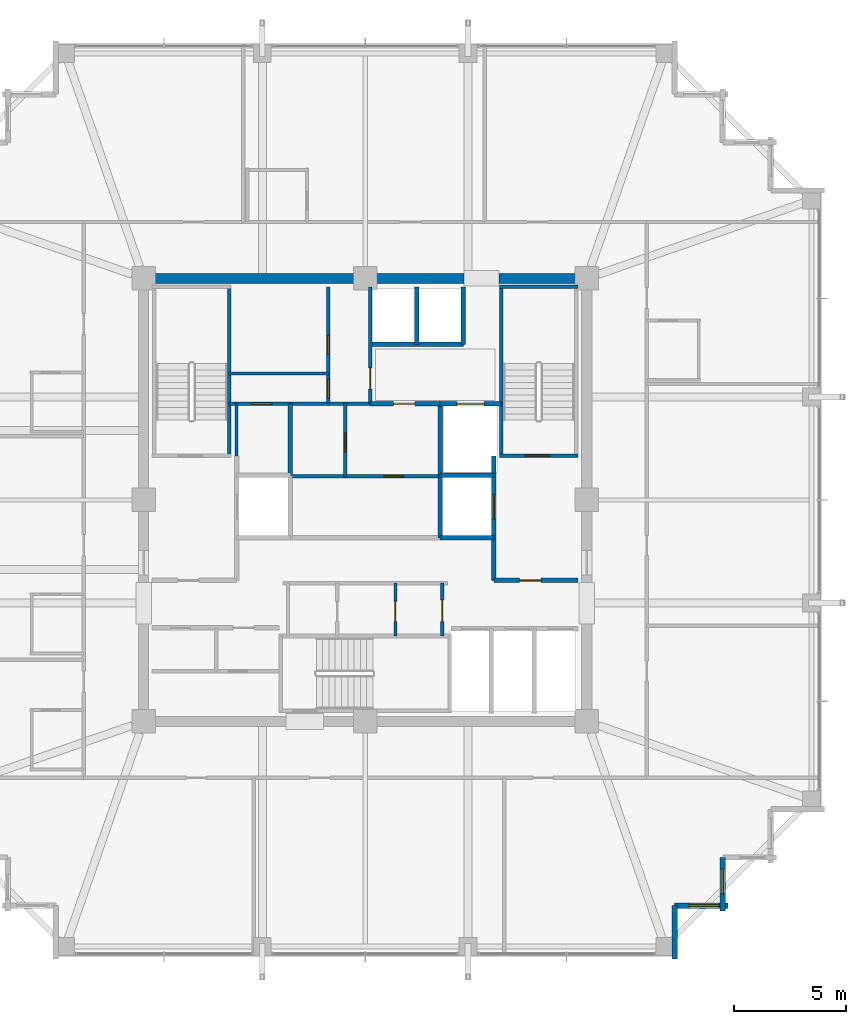
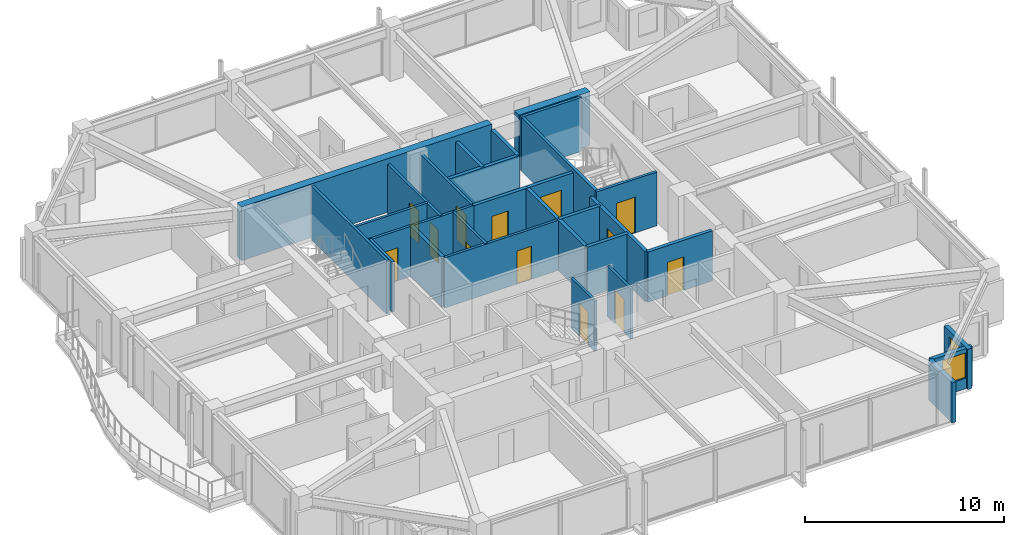
# One storey, part 29 of 33: 30 walls, 13 doors, 2 windows, 15 openings.
"""IFC4 building model written with IfcOpenShell, lengths in metres."""

from ifc_helpers import new_model, si_unit, direction, frame, frame_2d, origin, place, context, subcontext, project, spatial, rectangle, extrude, material, layer, layer_set, type_object, element, fill, save


model = new_model("IFC4")

# Units and contexts
model_context = context("Model", 3, precision=1e-05, world=origin(), true_north=direction((0.0, 1.0)))
body_context = subcontext(model_context, "Body", "Model", "MODEL_VIEW")
ifc_project = project(units=[si_unit("LENGTHUNIT", "METRE"), si_unit("AREAUNIT", "SQUARE_METRE"), si_unit("VOLUMEUNIT", "CUBIC_METRE"), si_unit("PLANEANGLEUNIT", "RADIAN"), si_unit("MASSUNIT", "GRAM", prefix="KILO")], contexts=[model_context])

# Site, building, storey
site_placement = place(None, origin())
site = spatial("IfcSite", under=ifc_project, at=site_placement, CompositionType="ELEMENT")
building_placement = place(site_placement, origin())
building = spatial("IfcBuilding", under=site, at=building_placement, Name="Kolvaren Belvedere", CompositionType="ELEMENT")
storey_placement = place(building_placement, frame((0.0, 0.0, 209.699951171875)))
storey = spatial("IfcBuildingStorey", under=building, at=storey_placement, Name="L61", CompositionType="ELEMENT", Elevation=209.699951171875)

# Walls
ifc_material_1 = material(Name="Concrete C50/60", Category="concrete")
ifc_layer_1 = layer(ifc_material_1, 0.449951171875)
ifc_layer_set_1 = layer_set([ifc_layer_1], Name="Concrete C50/60")
wall_type_1 = type_object("IfcWallType", Name="CW-CORE-450", PredefinedType="SHEAR", material=ifc_layer_set_1)
wall_1_placement = place(storey_placement, frame((-10.125, 9.89990234375, 0.0), z_axis=(0.0, 0.0, 1.0), x_axis=(1.0, 0.0, 0.0)))
element("IfcWall", 1, at=wall_1_placement, inside=storey, type_object=wall_type_1, Name="L61 North Core Shear Wall 1", PredefinedType="SHEAR", context=body_context, shape_type="SweptSolid", body=[
    extrude(rectangle(XDim=14.544921875, YDim=0.449951171875, at=frame_2d((7.2724609375, 0.0))), origin(), (0.0, 0.0, 1.0), 3.300048828125),
])
wall_2_placement = place(storey_placement, frame((5.97998046875, 9.89990234375, 0.0), z_axis=(0.0, 0.0, 1.0), x_axis=(1.0, 0.0, 0.0)))
element("IfcWall", 2, at=wall_2_placement, inside=storey, type_object=wall_type_1, Name="L61 North Core Shear Wall 2", PredefinedType="SHEAR", context=body_context, shape_type="SweptSolid", body=[
    extrude(rectangle(XDim=4.14501953125, YDim=0.449951171875, at=frame_2d((2.072509765625, 0.0))), origin(), (0.0, 0.0, 1.0), 3.300048828125),
])
ifc_material_2 = material(Name="Concrete C50/60", Category="concrete")
ifc_layer_2 = layer(ifc_material_2, 0.159912109375)
ifc_layer_set_2 = layer_set([ifc_layer_2], Name="Concrete C50/60")
wall_type_2 = type_object("IfcWallType", Name="CW-STAIR-160", PredefinedType="SHEAR", material=ifc_layer_set_2)
wall_3_placement = place(storey_placement, frame((-6.080078125, 1.969970703125, 0.0), z_axis=(0.0, 0.0, 1.0), x_axis=(0.0, 1.0, 0.0)))
element("IfcWall", 3, at=wall_3_placement, inside=storey, type_object=wall_type_2, Name="L61 Stair ST-1 East Shear Wall", PredefinedType="SHEAR", context=body_context, shape_type="SweptSolid", body=[
    extrude(rectangle(XDim=7.56005859375, YDim=0.159912109375, at=frame_2d((3.780029296875, 0.0))), origin(), (0.0, 0.0, 1.0), 3.300048828125),
])

# Wall, opening, door
wall_4_placement = place(storey_placement, frame((6.0, 1.969970703125, 0.0), z_axis=(0.0, 0.0, 1.0), x_axis=(1.0, 0.0, 0.0)))
wall_4 = element("IfcWall", 4, at=wall_4_placement, inside=storey, type_object=wall_type_2, Name="L61 Stair ST-2 South Shear Wall", PredefinedType="SHEAR", context=body_context, shape_type="SweptSolid", body=[
    extrude(rectangle(XDim=3.52001953125, YDim=0.159912109375, at=frame_2d((1.760009765625, 0.0))), origin(), (0.0, 0.0, 1.0), 3.300048828125),
])
opening_1_placement = place(wall_4_placement, frame((1.14990234375, 0.0, 0.0)))
opening_1 = element("IfcOpeningElement", 5, at=opening_1_placement, cuts=wall_4, Name="Opening D-FD90", PredefinedType="OPENING", context=body_context, shape_type="SweptSolid", body=[
    extrude(rectangle(XDim=1.10009765625, YDim=2.199951171875, at=frame_2d((0.550048828125, 1.10009765625))), frame((0.0, 0.08984375, 0.0), z_axis=(0.0, -1.0, 0.0), x_axis=(1.0, 0.0, 0.0)), (0.0, 0.0, 1.0), 0.179931640625),
])
ifc_material_3 = material(Name="Painted hollow stainless steel", Category="steel")
door_type_1 = type_object("IfcDoorType", Name="DR-FD90-1100", OperationType="NOTDEFINED", PredefinedType="DOOR", material=ifc_material_3)
door_1_placement = place(opening_1_placement, origin())
door_1 = element("IfcDoor", 6, at=door_1_placement, inside=storey, type_object=door_type_1, Name="L61 Stair ST-2 Fire Door", OperationType="SINGLE_SWING_RIGHT", OverallHeight=2.199951171875, OverallWidth=1.10009765625, PredefinedType="DOOR", context=body_context, shape_type="SweptSolid", body=[
    extrude(rectangle(XDim=1.10009765625, YDim=2.199951171875, at=frame_2d((0.550048828125, 1.10009765625))), frame((0.0, 0.02490234375, 0.0), z_axis=(0.0, -1.0, 0.0), x_axis=(1.0, 0.0, 0.0)), (0.0, 0.0, 1.0), 0.050048828125),
])
fill(opening_1, door_1)

# Walls
wall_5_placement = place(storey_placement, frame((6.0, 9.530029296875, 0.0), z_axis=(0.0, 0.0, 1.0), x_axis=(1.0, 0.0, 0.0)))
element("IfcWall", 7, at=wall_5_placement, inside=storey, type_object=wall_type_2, Name="L61 Stair ST-2 North Shear Wall", PredefinedType="SHEAR", context=body_context, shape_type="SweptSolid", body=[
    extrude(rectangle(XDim=3.52001953125, YDim=0.159912109375, at=frame_2d((1.760009765625, 0.0))), origin(), (0.0, 0.0, 1.0), 3.300048828125),
])
wall_6_placement = place(storey_placement, frame((6.080078125, 1.969970703125, 0.0), z_axis=(0.0, 0.0, 1.0), x_axis=(0.0, 1.0, 0.0)))
element("IfcWall", 8, at=wall_6_placement, inside=storey, type_object=wall_type_2, Name="L61 Stair ST-2 West Shear Wall", PredefinedType="SHEAR", context=body_context, shape_type="SweptSolid", body=[
    extrude(rectangle(XDim=7.56005859375, YDim=0.159912109375, at=frame_2d((3.780029296875, 0.0))), origin(), (0.0, 0.0, 1.0), 3.300048828125),
])
ifc_material_4 = material(Name="Insulated pale-metal facade wall assembly", Category="aluminium")
ifc_layer_3 = layer(ifc_material_4, 0.239990234375)
ifc_layer_set_3 = layer_set([ifc_layer_3], Name="Insulated pale-metal facade wall assembly")
wall_type_3 = type_object("IfcWallType", Name="WL-EXT-240", PredefinedType="STANDARD", material=ifc_layer_set_3)
wall_7_placement = place(storey_placement, frame((13.830078125, -18.1298828125, 0.0), z_axis=(0.0, 0.0, 1.0), x_axis=(0.0, -1.0, 0.0)))
element("IfcWall", 9, at=wall_7_placement, inside=storey, type_object=wall_type_3, Name="L61 Serrated Corner Facade Wall 2", PredefinedType="STANDARD", context=body_context, shape_type="SweptSolid", body=[
    extrude(rectangle(XDim=2.39013671875, YDim=0.239990234375, at=frame_2d((1.195068359375, 0.0))), origin(), (0.0, 0.0, 1.0), 2.463134765625),
])

# Wall, opening, window
wall_8_placement = place(storey_placement, frame((16.219970703125, -18.1298828125, 0.0), z_axis=(0.0, 0.0, 1.0), x_axis=(-1.0, 0.0, 0.0)))
wall_8 = element("IfcWall", 10, at=wall_8_placement, inside=storey, type_object=wall_type_3, Name="L61 Serrated Corner Facade Wall 3", PredefinedType="STANDARD", context=body_context, shape_type="SweptSolid", body=[
    extrude(rectangle(XDim=2.389892578125, YDim=0.239990234375, at=frame_2d((1.19482421875, 0.0))), origin(), (0.0, 0.0, 1.0), 2.463134765625),
])
opening_2_placement = place(wall_8_placement, frame((0.39990234375, 0.0, 0.64990234375)))
opening_2 = element("IfcOpeningElement", 11, at=opening_2_placement, cuts=wall_8, Name="Opening W-1350", PredefinedType="OPENING", context=body_context, shape_type="SweptSolid", body=[
    extrude(rectangle(XDim=1.35009765625, YDim=1.550048828125, at=frame_2d((0.675048828125, 0.77490234375))), frame((0.0, 0.1298828125, 0.0), z_axis=(0.0, -1.0, 0.0), x_axis=(1.0, 0.0, 0.0)), (0.0, 0.0, 1.0), 0.260009765625),
])
ifc_material_5 = material(Name="Low-iron triple insulated glass", Category="glass")
window_type_1 = type_object("IfcWindowType", Name="WN-CORN-1350", PartitioningType="SINGLE_PANEL", PredefinedType="WINDOW", material=ifc_material_5)
window_1_placement = place(opening_2_placement, origin())
window_1 = element("IfcWindow", 12, at=window_1_placement, inside=storey, type_object=window_type_1, Name="L61 Serrated Corner Vision Window 3", OverallHeight=1.550048828125, OverallWidth=1.35009765625, PartitioningType="SINGLE_PANEL", PredefinedType="WINDOW", context=body_context, shape_type="SweptSolid", body=[
    extrude(rectangle(XDim=1.35009765625, YDim=1.550048828125, at=frame_2d((0.675048828125, 0.77490234375))), frame((0.0, 0.030029296875, 0.0), z_axis=(0.0, -1.0, 0.0), x_axis=(1.0, 0.0, 0.0)), (0.0, 0.0, 1.0), 0.06005859375),
])
fill(opening_2, window_1)

wall_9_placement = place(storey_placement, frame((15.97998046875, -15.97998046875, 0.0), z_axis=(0.0, 0.0, 1.0), x_axis=(0.0, -1.0, 0.0)))
wall_9 = element("IfcWall", 13, at=wall_9_placement, inside=storey, type_object=wall_type_3, Name="L61 Serrated Corner Facade Wall 4", PredefinedType="STANDARD", context=body_context, shape_type="SweptSolid", body=[
    extrude(rectangle(XDim=2.39013671875, YDim=0.239990234375, at=frame_2d((1.195068359375, 0.0))), origin(), (0.0, 0.0, 1.0), 2.463134765625),
])
opening_3_placement = place(wall_9_placement, frame((0.52490234375, 0.0, 0.64990234375)))
opening_3 = element("IfcOpeningElement", 14, at=opening_3_placement, cuts=wall_9, Name="Opening W-1100", PredefinedType="OPENING", context=body_context, shape_type="SweptSolid", body=[
    extrude(rectangle(XDim=1.10009765625, YDim=1.449951171875, at=frame_2d((0.550048828125, 0.72509765625))), frame((0.0, 0.1298828125, 0.0), z_axis=(0.0, -1.0, 0.0), x_axis=(1.0, 0.0, 0.0)), (0.0, 0.0, 1.0), 0.260009765625),
])
ifc_material_6 = material(Name="Low-iron triple insulated glass", Category="glass")
window_type_2 = type_object("IfcWindowType", Name="WN-CORN-1100", PartitioningType="SINGLE_PANEL", PredefinedType="WINDOW", material=ifc_material_6)
window_2_placement = place(opening_3_placement, origin())
window_2 = element("IfcWindow", 15, at=window_2_placement, inside=storey, type_object=window_type_2, Name="L61 Serrated Corner Vision Window 4", OverallHeight=1.449951171875, OverallWidth=1.10009765625, PartitioningType="SINGLE_PANEL", PredefinedType="WINDOW", context=body_context, shape_type="SweptSolid", body=[
    extrude(rectangle(XDim=1.10009765625, YDim=1.449951171875, at=frame_2d((0.550048828125, 0.72509765625))), frame((0.0, 0.030029296875, 0.0), z_axis=(0.0, -1.0, 0.0), x_axis=(1.0, 0.0, 0.0)), (0.0, 0.0, 1.0), 0.06005859375),
])
fill(opening_3, window_2)

# Wall, opening, door
ifc_material_7 = material(Name="Gypsum acoustic partition assembly", Category="gypsum")
ifc_layer_4 = layer(ifc_material_7, 0.14990234375)
ifc_layer_set_4 = layer_set([ifc_layer_4], Name="Gypsum acoustic partition assembly")
wall_type_4 = type_object("IfcWallType", Name="WL-PART-150", PredefinedType="PARTITIONING", material=ifc_layer_set_4)
wall_10_placement = place(storey_placement, frame((-6.080078125, 4.300048828125, 0.0), z_axis=(0.0, 0.0, 1.0), x_axis=(1.0, 0.0, 0.0)))
wall_10 = element("IfcWall", 16, at=wall_10_placement, inside=storey, type_object=wall_type_4, Name="L61 Reclaimed Salon South Wall", PredefinedType="PARTITIONING", context=body_context, shape_type="SweptSolid", body=[
    extrude(rectangle(XDim=6.300048828125, YDim=0.14990234375, at=frame_2d((3.14990234375, 0.0))), origin(), (0.0, 0.0, 1.0), 3.080078125),
])
opening_4_placement = place(wall_10_placement, frame((1.050048828125, 0.0, 0.0)))
opening_4 = element("IfcOpeningElement", 17, at=opening_4_placement, cuts=wall_10, Name="Opening D-INT85", PredefinedType="OPENING", context=body_context, shape_type="SweptSolid", body=[
    extrude(rectangle(XDim=0.85009765625, YDim=2.030029296875, at=frame_2d((0.425048828125, 1.01513671875))), frame((0.0, 0.0849609375, 0.0), z_axis=(0.0, -1.0, 0.0), x_axis=(1.0, 0.0, 0.0)), (0.0, 0.0, 1.0), 0.169921875),
])
ifc_material_8 = material(Name="Stained Pacific white oak", Category="timber")
door_type_2 = type_object("IfcDoorType", Name="DR-INT-850", OperationType="NOTDEFINED", PredefinedType="DOOR", material=ifc_material_8)
door_2_placement = place(opening_4_placement, origin())
door_2 = element("IfcDoor", 18, at=door_2_placement, inside=storey, type_object=door_type_2, Name="L61 NW Core Store Door", OperationType="SINGLE_SWING_RIGHT", OverallHeight=2.030029296875, OverallWidth=0.85009765625, PredefinedType="DOOR", context=body_context, shape_type="SweptSolid", body=[
    extrude(rectangle(XDim=0.85009765625, YDim=2.030029296875, at=frame_2d((0.425048828125, 1.01513671875))), frame((0.0, 0.02490234375, 0.0), z_axis=(0.0, -1.0, 0.0), x_axis=(1.0, 0.0, 0.0)), (0.0, 0.0, 1.0), 0.050048828125),
])
fill(opening_4, door_2)

wall_11_placement = place(storey_placement, frame((0.219970703125, 4.300048828125, 0.0), z_axis=(0.0, 0.0, 1.0), x_axis=(0.0, 1.0, 0.0)))
wall_11 = element("IfcWall", 19, at=wall_11_placement, inside=storey, type_object=wall_type_4, Name="L61 Reclaimed Salon East Wall", PredefinedType="PARTITIONING", context=body_context, shape_type="SweptSolid", body=[
    extrude(rectangle(XDim=5.219970703125, YDim=0.14990234375, at=frame_2d((2.60986328125, 0.0))), origin(), (0.0, 0.0, 1.0), 3.080078125),
])
opening_5_placement = place(wall_11_placement, frame((0.64990234375, 0.0, 0.0)))
opening_5 = element("IfcOpeningElement", 20, at=opening_5_placement, cuts=wall_11, Name="Opening D-INT95", PredefinedType="OPENING", context=body_context, shape_type="SweptSolid", body=[
    extrude(rectangle(XDim=0.949951171875, YDim=2.06005859375, at=frame_2d((0.47509765625, 1.030029296875))), frame((0.0, 0.0849609375, 0.0), z_axis=(0.0, -1.0, 0.0), x_axis=(1.0, 0.0, 0.0)), (0.0, 0.0, 1.0), 0.169921875),
])
ifc_material_9 = material(Name="Stained Pacific white oak", Category="timber")
door_type_3 = type_object("IfcDoorType", Name="DR-INT-950", OperationType="NOTDEFINED", PredefinedType="DOOR", material=ifc_material_9)
door_3_placement = place(opening_5_placement, origin())
door_3 = element("IfcDoor", 21, at=door_3_placement, inside=storey, type_object=door_type_3, Name="L61 Wellness Tearoom Door", OperationType="SINGLE_SWING_LEFT", OverallHeight=2.06005859375, OverallWidth=0.949951171875, PredefinedType="DOOR", context=body_context, shape_type="SweptSolid", body=[
    extrude(rectangle(XDim=0.949951171875, YDim=2.06005859375, at=frame_2d((0.47509765625, 1.030029296875))), frame((0.0, 0.02490234375, 0.0), z_axis=(0.0, -1.0, 0.0), x_axis=(1.0, 0.0, 0.0)), (0.0, 0.0, 1.0), 0.050048828125),
])
fill(opening_5, door_3)

# Wall, openings, doors
wall_12_placement = place(storey_placement, frame((-1.64990234375, 4.300048828125, 0.0), z_axis=(0.0, 0.0, 1.0), x_axis=(0.0, 1.0, 0.0)))
wall_12 = element("IfcWall", 22, at=wall_12_placement, inside=storey, type_object=wall_type_4, Name="L61 Reclaimed Tearoom V-Divider", PredefinedType="PARTITIONING", context=body_context, shape_type="SweptSolid", body=[
    extrude(rectangle(XDim=5.219970703125, YDim=0.14990234375, at=frame_2d((2.60986328125, 0.0))), origin(), (0.0, 0.0, 1.0), 3.080078125),
])
opening_6_placement = place(wall_12_placement, frame((2.199951171875, 0.0, 0.0)))
opening_6 = element("IfcOpeningElement", 23, at=opening_6_placement, cuts=wall_12, Name="Opening D-INT85", PredefinedType="OPENING", context=body_context, shape_type="SweptSolid", body=[
    extrude(rectangle(XDim=0.85009765625, YDim=2.030029296875, at=frame_2d((0.425048828125, 1.01513671875))), frame((0.0, 0.0849609375, 0.0), z_axis=(0.0, -1.0, 0.0), x_axis=(1.0, 0.0, 0.0)), (0.0, 0.0, 1.0), 0.169921875),
])
opening_7_placement = place(wall_12_placement, frame((0.25, 0.0, 0.0)))
opening_7 = element("IfcOpeningElement", 24, at=opening_7_placement, cuts=wall_12, Name="Opening D-INT85", PredefinedType="OPENING", context=body_context, shape_type="SweptSolid", body=[
    extrude(rectangle(XDim=0.85009765625, YDim=2.030029296875, at=frame_2d((0.425048828125, 1.01513671875))), frame((0.0, 0.0849609375, 0.0), z_axis=(0.0, -1.0, 0.0), x_axis=(1.0, 0.0, 0.0)), (0.0, 0.0, 1.0), 0.169921875),
])
door_4_placement = place(opening_6_placement, origin())
door_4 = element("IfcDoor", 25, at=door_4_placement, inside=storey, type_object=door_type_2, Name="L61 Meditation Room Door", OperationType="SINGLE_SWING_RIGHT", OverallHeight=2.030029296875, OverallWidth=0.85009765625, PredefinedType="DOOR", context=body_context, shape_type="SweptSolid", body=[
    extrude(rectangle(XDim=0.85009765625, YDim=2.030029296875, at=frame_2d((0.425048828125, 1.01513671875))), frame((0.0, 0.02490234375, 0.0), z_axis=(0.0, -1.0, 0.0), x_axis=(1.0, 0.0, 0.0)), (0.0, 0.0, 1.0), 0.050048828125),
])
fill(opening_6, door_4)
door_5_placement = place(opening_7_placement, origin())
door_5 = element("IfcDoor", 26, at=door_5_placement, inside=storey, type_object=door_type_2, Name="L61 Herbal Closet Door", OperationType="SINGLE_SWING_RIGHT", OverallHeight=2.030029296875, OverallWidth=0.85009765625, PredefinedType="DOOR", context=body_context, shape_type="SweptSolid", body=[
    extrude(rectangle(XDim=0.85009765625, YDim=2.030029296875, at=frame_2d((0.425048828125, 1.01513671875))), frame((0.0, 0.02490234375, 0.0), z_axis=(0.0, -1.0, 0.0), x_axis=(1.0, 0.0, 0.0)), (0.0, 0.0, 1.0), 0.050048828125),
])
fill(opening_7, door_5)

# Wall
wall_13_placement = place(storey_placement, frame((-6.080078125, 5.64990234375, 0.0), z_axis=(0.0, 0.0, 1.0), x_axis=(1.0, 0.0, 0.0)))
element("IfcWall", 27, at=wall_13_placement, inside=storey, type_object=wall_type_4, Name="L61 Reclaimed Tearoom H-Divider", PredefinedType="PARTITIONING", context=body_context, shape_type="SweptSolid", body=[
    extrude(rectangle(XDim=4.43017578125, YDim=0.14990234375, at=frame_2d((2.215087890625, 0.0))), origin(), (0.0, 0.0, 1.0), 3.080078125),
])

# Wall, opening, door
wall_14_placement = place(storey_placement, frame((-3.35009765625, 1.050048828125, 0.0), z_axis=(0.0, 0.0, 1.0), x_axis=(1.0, 0.0, 0.0)))
wall_14 = element("IfcWall", 28, at=wall_14_placement, inside=storey, type_object=wall_type_4, Name="L61 Central Core H-Divider", PredefinedType="PARTITIONING", context=body_context, shape_type="SweptSolid", body=[
    extrude(rectangle(XDim=6.7001953125, YDim=0.14990234375, at=frame_2d((3.35009765625, 0.0))), origin(), (0.0, 0.0, 1.0), 3.080078125),
])
opening_8_placement = place(wall_14_placement, frame((4.199951171875, 0.0, 0.0)))
opening_8 = element("IfcOpeningElement", 29, at=opening_8_placement, cuts=wall_14, Name="Opening D-INT85", PredefinedType="OPENING", context=body_context, shape_type="SweptSolid", body=[
    extrude(rectangle(XDim=0.85009765625, YDim=2.030029296875, at=frame_2d((0.425048828125, 1.01513671875))), frame((0.0, 0.0849609375, 0.0), z_axis=(0.0, -1.0, 0.0), x_axis=(1.0, 0.0, 0.0)), (0.0, 0.0, 1.0), 0.169921875),
])
door_6_placement = place(opening_8_placement, origin())
door_6 = element("IfcDoor", 30, at=door_6_placement, inside=storey, type_object=door_type_2, Name="L61 Central Metering Door", OperationType="SINGLE_SWING_LEFT", OverallHeight=2.030029296875, OverallWidth=0.85009765625, PredefinedType="DOOR", context=body_context, shape_type="SweptSolid", body=[
    extrude(rectangle(XDim=0.85009765625, YDim=2.030029296875, at=frame_2d((0.425048828125, 1.01513671875))), frame((0.0, 0.02490234375, 0.0), z_axis=(0.0, -1.0, 0.0), x_axis=(1.0, 0.0, 0.0)), (0.0, 0.0, 1.0), 0.050048828125),
])
fill(opening_8, door_6)

wall_15_placement = place(storey_placement, frame((-0.89990234375, 1.050048828125, 0.0), z_axis=(0.0, 0.0, 1.0), x_axis=(0.0, 1.0, 0.0)))
wall_15 = element("IfcWall", 31, at=wall_15_placement, inside=storey, type_object=wall_type_4, Name="L61 Central Core V-Divider", PredefinedType="PARTITIONING", context=body_context, shape_type="SweptSolid", body=[
    extrude(rectangle(XDim=3.25, YDim=0.14990234375, at=frame_2d((1.625, 0.0))), origin(), (0.0, 0.0, 1.0), 3.080078125),
])
opening_9_placement = place(wall_15_placement, frame((1.10009765625, 0.0, 0.0)))
opening_9 = element("IfcOpeningElement", 32, at=opening_9_placement, cuts=wall_15, Name="Opening D-INT85", PredefinedType="OPENING", context=body_context, shape_type="SweptSolid", body=[
    extrude(rectangle(XDim=0.85009765625, YDim=2.030029296875, at=frame_2d((0.425048828125, 1.01513671875))), frame((0.0, 0.0849609375, 0.0), z_axis=(0.0, -1.0, 0.0), x_axis=(1.0, 0.0, 0.0)), (0.0, 0.0, 1.0), 0.169921875),
])
door_7_placement = place(opening_9_placement, origin())
door_7 = element("IfcDoor", 33, at=door_7_placement, inside=storey, type_object=door_type_2, Name="L61 Central Telecom Door", OperationType="SINGLE_SWING_RIGHT", OverallHeight=2.030029296875, OverallWidth=0.85009765625, PredefinedType="DOOR", context=body_context, shape_type="SweptSolid", body=[
    extrude(rectangle(XDim=0.85009765625, YDim=2.030029296875, at=frame_2d((0.425048828125, 1.01513671875))), frame((0.0, 0.02490234375, 0.0), z_axis=(0.0, -1.0, 0.0), x_axis=(1.0, 0.0, 0.0)), (0.0, 0.0, 1.0), 0.050048828125),
])
fill(opening_9, door_7)

wall_16_placement = place(storey_placement, frame((3.449951171875, -6.080078125, 0.0), z_axis=(0.0, 0.0, 1.0), x_axis=(0.0, 1.0, 0.0)))
wall_16 = element("IfcWall", 34, at=wall_16_placement, inside=storey, type_object=wall_type_4, Name="L61 South Core Service East Wall", PredefinedType="PARTITIONING", context=body_context, shape_type="SweptSolid", body=[
    extrude(rectangle(XDim=2.360107421875, YDim=0.14990234375, at=frame_2d((1.18017578125, 0.0))), origin(), (0.0, 0.0, 1.0), 3.080078125),
])
opening_10_placement = place(wall_16_placement, frame((0.64990234375, 0.0, 0.0)))
opening_10 = element("IfcOpeningElement", 35, at=opening_10_placement, cuts=wall_16, Name="Opening D-FD60", PredefinedType="OPENING", context=body_context, shape_type="SweptSolid", body=[
    extrude(rectangle(XDim=0.949951171875, YDim=2.06005859375, at=frame_2d((0.47509765625, 1.030029296875))), frame((0.0, 0.0849609375, 0.0), z_axis=(0.0, -1.0, 0.0), x_axis=(1.0, 0.0, 0.0)), (0.0, 0.0, 1.0), 0.169921875),
])
ifc_material_10 = material(Name="Acoustic white-oak fire door leaf", Category="timber")
door_type_4 = type_object("IfcDoorType", Name="DR-FD60-950", OperationType="NOTDEFINED", PredefinedType="DOOR", material=ifc_material_10)
door_8_placement = place(opening_10_placement, origin())
door_8 = element("IfcDoor", 36, at=door_8_placement, inside=storey, type_object=door_type_4, Name="L61 Core Service Room Door", OperationType="SINGLE_SWING_LEFT", OverallHeight=2.06005859375, OverallWidth=0.949951171875, PredefinedType="DOOR", context=body_context, shape_type="SweptSolid", body=[
    extrude(rectangle(XDim=0.949951171875, YDim=2.06005859375, at=frame_2d((0.47509765625, 1.030029296875))), frame((0.0, 0.02490234375, 0.0), z_axis=(0.0, -1.0, 0.0), x_axis=(1.0, 0.0, 0.0)), (0.0, 0.0, 1.0), 0.050048828125),
])
fill(opening_10, door_8)

wall_17_placement = place(storey_placement, frame((1.35009765625, -6.080078125, 0.0), z_axis=(0.0, 0.0, 1.0), x_axis=(0.0, 1.0, 0.0)))
wall_17 = element("IfcWall", 37, at=wall_17_placement, inside=storey, type_object=wall_type_4, Name="L61 Core Service Divider 1", PredefinedType="PARTITIONING", context=body_context, shape_type="SweptSolid", body=[
    extrude(rectangle(XDim=2.360107421875, YDim=0.14990234375, at=frame_2d((1.18017578125, 0.0))), origin(), (0.0, 0.0, 1.0), 3.080078125),
])
opening_11_placement = place(wall_17_placement, frame((0.64990234375, 0.0, 0.0)))
opening_11 = element("IfcOpeningElement", 38, at=opening_11_placement, cuts=wall_17, Name="Opening D-INT90", PredefinedType="OPENING", context=body_context, shape_type="SweptSolid", body=[
    extrude(rectangle(XDim=0.89990234375, YDim=2.06005859375, at=frame_2d((0.449951171875, 1.030029296875))), frame((0.0, 0.0849609375, 0.0), z_axis=(0.0, -1.0, 0.0), x_axis=(1.0, 0.0, 0.0)), (0.0, 0.0, 1.0), 0.169921875),
])
ifc_material_11 = material(Name="Stained Pacific white oak", Category="timber")
door_type_5 = type_object("IfcDoorType", Name="DR-INT-900", OperationType="NOTDEFINED", PredefinedType="DOOR", material=ifc_material_11)
door_9_placement = place(opening_11_placement, origin())
door_9 = element("IfcDoor", 39, at=door_9_placement, inside=storey, type_object=door_type_5, Name="L61 Data Closet Door", OperationType="SINGLE_SWING_RIGHT", OverallHeight=2.06005859375, OverallWidth=0.89990234375, PredefinedType="DOOR", context=body_context, shape_type="SweptSolid", body=[
    extrude(rectangle(XDim=0.89990234375, YDim=2.06005859375, at=frame_2d((0.449951171875, 1.030029296875))), frame((0.0, 0.02490234375, 0.0), z_axis=(0.0, -1.0, 0.0), x_axis=(1.0, 0.0, 0.0)), (0.0, 0.0, 1.0), 0.050048828125),
])
fill(opening_11, door_9)

# Wall
wall_18_placement = place(storey_placement, frame((-5.75, 1.969970703125, 0.0), z_axis=(0.0, 0.0, 1.0), x_axis=(0.0, 1.0, 0.0)))
element("IfcWall", 40, at=wall_18_placement, inside=storey, type_object=wall_type_4, Name="L61 NW Service Room West Wall", PredefinedType="PARTITIONING", context=body_context, shape_type="SweptSolid", body=[
    extrude(rectangle(XDim=2.330078125, YDim=0.14990234375, at=frame_2d((1.1650390625, 0.0))), origin(), (0.0, 0.0, 1.0), 3.080078125),
])

# Wall, opening, door
ifc_material_12 = material(Name="Concrete C50/60", Category="concrete")
ifc_layer_5 = layer(ifc_material_12, 0.199951171875)
ifc_layer_set_5 = layer_set([ifc_layer_5], Name="Concrete C50/60")
wall_type_5 = type_object("IfcWallType", Name="WL-SHAFT-200", PredefinedType="SOLIDWALL", material=ifc_layer_set_5)
wall_19_placement = place(storey_placement, frame((5.75, -3.60009765625, 0.0), z_axis=(0.0, 0.0, 1.0), x_axis=(1.0, 0.0, 0.0)))
wall_19 = element("IfcWall", 41, at=wall_19_placement, inside=storey, type_object=wall_type_5, Name="L61 East FSAE Lobby South Wall", PredefinedType="SOLIDWALL", context=body_context, shape_type="SweptSolid", body=[
    extrude(rectangle(XDim=3.77001953125, YDim=0.199951171875, at=frame_2d((1.885009765625, 0.0))), origin(), (0.0, 0.0, 1.0), 3.080078125),
])
opening_12_placement = place(wall_19_placement, frame((1.14990234375, 0.0, 0.0)))
opening_12 = element("IfcOpeningElement", 42, at=opening_12_placement, cuts=wall_19, Name="Opening D-FD60", PredefinedType="OPENING", context=body_context, shape_type="SweptSolid", body=[
    extrude(rectangle(XDim=0.949951171875, YDim=2.06005859375, at=frame_2d((0.47509765625, 1.030029296875))), frame((0.0, 0.10986328125, 0.0), z_axis=(0.0, -1.0, 0.0), x_axis=(1.0, 0.0, 0.0)), (0.0, 0.0, 1.0), 0.219970703125),
])
door_10_placement = place(opening_12_placement, origin())
door_10 = element("IfcDoor", 43, at=door_10_placement, inside=storey, type_object=door_type_4, Name="L61 SE Lift Lobby Fire Door", OperationType="SINGLE_SWING_RIGHT", OverallHeight=2.06005859375, OverallWidth=0.949951171875, PredefinedType="DOOR", context=body_context, shape_type="SweptSolid", body=[
    extrude(rectangle(XDim=0.949951171875, YDim=2.06005859375, at=frame_2d((0.47509765625, 1.030029296875))), frame((0.0, 0.02490234375, 0.0), z_axis=(0.0, -1.0, 0.0), x_axis=(1.0, 0.0, 0.0)), (0.0, 0.0, 1.0), 0.050048828125),
])
fill(opening_12, door_10)

wall_20_placement = place(storey_placement, frame((5.75, -3.60009765625, 0.0), z_axis=(0.0, 0.0, 1.0), x_axis=(0.0, 1.0, 0.0)))
wall_20 = element("IfcWall", 44, at=wall_20_placement, inside=storey, type_object=wall_type_5, Name="L61 FSAE FS2 Landing Wall", PredefinedType="SOLIDWALL", context=body_context, shape_type="SweptSolid", body=[
    extrude(rectangle(XDim=5.570068359375, YDim=0.199951171875, at=frame_2d((2.78515625, 0.0))), origin(), (0.0, 0.0, 1.0), 3.080078125),
])
opening_13_placement = place(wall_20_placement, frame((2.75, 0.0, 0.0)))
opening_13 = element("IfcOpeningElement", 45, at=opening_13_placement, cuts=wall_20, Name="Opening LD-11", PredefinedType="OPENING", context=body_context, shape_type="SweptSolid", body=[
    extrude(rectangle(XDim=1.10009765625, YDim=2.199951171875, at=frame_2d((0.550048828125, 1.10009765625))), frame((0.0, 0.10986328125, 0.0), z_axis=(0.0, -1.0, 0.0), x_axis=(1.0, 0.0, 0.0)), (0.0, 0.0, 1.0), 0.219970703125),
])
ifc_material_13 = material(Name="Brushed stainless steel", Category="steel")
door_type_6 = type_object("IfcDoorType", Name="DR-LIFT-1100", OperationType="DOUBLE_DOOR_SLIDING", PredefinedType="DOOR", material=ifc_material_13)
door_11_placement = place(opening_13_placement, origin())
door_11 = element("IfcDoor", 46, at=door_11_placement, inside=storey, type_object=door_type_6, Name="L61 Firefighting Lift FS2 Landing Door", OperationType="DOUBLE_DOOR_SLIDING", OverallHeight=2.199951171875, OverallWidth=1.10009765625, PredefinedType="DOOR", context=body_context, shape_type="SweptSolid", body=[
    extrude(rectangle(XDim=1.10009765625, YDim=2.199951171875, at=frame_2d((0.550048828125, 1.10009765625))), frame((0.0, 0.02490234375, 0.0), z_axis=(0.0, -1.0, 0.0), x_axis=(1.0, 0.0, 0.0)), (0.0, 0.0, 1.0), 0.050048828125),
])
fill(opening_13, door_11)

# Walls
wall_21_placement = place(storey_placement, frame((3.35009765625, -1.699951171875, 0.0), z_axis=(0.0, 0.0, 1.0), x_axis=(0.0, 1.0, 0.0)))
element("IfcWall", 47, at=wall_21_placement, inside=storey, type_object=wall_type_5, Name="L61 FSAE FS2 Back Wall", PredefinedType="SOLIDWALL", context=body_context, shape_type="SweptSolid", body=[
    extrude(rectangle(XDim=2.800048828125, YDim=0.199951171875, at=frame_2d((1.39990234375, 0.0))), origin(), (0.0, 0.0, 1.0), 3.080078125),
])
for number, where, z_axis, x_axis, name in (
    (48, (3.35009765625, -1.699951171875, 0.0), (0.0, 0.0, 1.0), (1.0, 0.0, 0.0), "L61 FSAE FS2 South Wall"),
    (49, (3.35009765625, 1.10009765625, 0.0), (0.0, 0.0, 1.0), (1.0, 0.0, 0.0), "L61 FSAE FS2 North Wall"),
):
    element("IfcWall", number, at=place(storey_placement, frame(where, z_axis=z_axis, x_axis=x_axis)), inside=storey, type_object=wall_type_5, Name=name, PredefinedType="SOLIDWALL", context=body_context, shape_type="SweptSolid", body=[
        extrude(rectangle(XDim=2.39990234375, YDim=0.199951171875, at=frame_2d((1.199951171875, 0.0))), origin(), (0.0, 0.0, 1.0), 3.080078125),
    ])

# Wall, opening, door
wall_22_placement = place(storey_placement, frame((3.35009765625, 4.300048828125, 0.0), z_axis=(0.0, 0.0, 1.0), x_axis=(1.0, 0.0, 0.0)))
wall_22 = element("IfcWall", 50, at=wall_22_placement, inside=storey, type_object=wall_type_5, Name="L61 Service Lift SV1 Front Wall", PredefinedType="SOLIDWALL", context=body_context, shape_type="SweptSolid", body=[
    extrude(rectangle(XDim=2.72998046875, YDim=0.199951171875, at=frame_2d((1.364990234375, 0.0))), origin(), (0.0, 0.0, 1.0), 3.080078125),
])
opening_14_placement = place(wall_22_placement, frame((0.75, 0.0, 0.0)))
opening_14 = element("IfcOpeningElement", 51, at=opening_14_placement, cuts=wall_22, Name="Opening LD-12", PredefinedType="OPENING", context=body_context, shape_type="SweptSolid", body=[
    extrude(rectangle(XDim=1.199951171875, YDim=2.25, at=frame_2d((0.60009765625, 1.125))), frame((0.0, 0.10986328125, 0.0), z_axis=(0.0, -1.0, 0.0), x_axis=(1.0, 0.0, 0.0)), (0.0, 0.0, 1.0), 0.219970703125),
])
ifc_material_14 = material(Name="Brushed stainless steel", Category="steel")
door_type_7 = type_object("IfcDoorType", Name="DR-LIFT-1200", OperationType="DOUBLE_DOOR_SLIDING", PredefinedType="DOOR", material=ifc_material_14)
door_12_placement = place(opening_14_placement, origin())
door_12 = element("IfcDoor", 52, at=door_12_placement, inside=storey, type_object=door_type_7, Name="L61 Service Lift SV1 Landing Door", OperationType="DOUBLE_DOOR_SLIDING", OverallHeight=2.25, OverallWidth=1.199951171875, PredefinedType="DOOR", context=body_context, shape_type="SweptSolid", body=[
    extrude(rectangle(XDim=1.199951171875, YDim=2.25, at=frame_2d((0.60009765625, 1.125))), frame((0.0, 0.02490234375, 0.0), z_axis=(0.0, -1.0, 0.0), x_axis=(1.0, 0.0, 0.0)), (0.0, 0.0, 1.0), 0.050048828125),
])
fill(opening_14, door_12)

# Walls
wall_23_placement = place(storey_placement, frame((0.219970703125, 6.949951171875, 0.0), z_axis=(0.0, 0.0, 1.0), x_axis=(1.0, 0.0, 0.0)))
element("IfcWall", 53, at=wall_23_placement, inside=storey, type_object=wall_type_5, Name="L61 Express Shuttle Hoistway Wall", PredefinedType="SOLIDWALL", context=body_context, shape_type="SweptSolid", body=[
    extrude(rectangle(XDim=4.179931640625, YDim=0.199951171875, at=frame_2d((2.08984375, 0.0))), origin(), (0.0, 0.0, 1.0), 3.080078125),
])
for number, where, z_axis, x_axis, name in (
    (54, (4.3798828125, 6.949951171875, 0.0), (0.0, 0.0, 1.0), (0.0, 1.0, 0.0), "L61 Express Shuttle East Wall"),
    (55, (2.31005859375, 6.949951171875, 0.0), (0.0, 0.0, 1.0), (0.0, 1.0, 0.0), "L61 Express Shuttle Divider"),
):
    element("IfcWall", number, at=place(storey_placement, frame(where, z_axis=z_axis, x_axis=x_axis)), inside=storey, type_object=wall_type_5, Name=name, PredefinedType="SOLIDWALL", context=body_context, shape_type="SweptSolid", body=[
        extrude(rectangle(XDim=2.570068359375, YDim=0.199951171875, at=frame_2d((1.28515625, 0.0))), origin(), (0.0, 0.0, 1.0), 3.080078125),
    ])

# Wall, opening, door
wall_24_placement = place(storey_placement, frame((0.219970703125, 4.300048828125, 0.0), z_axis=(0.0, 0.0, 1.0), x_axis=(1.0, 0.0, 0.0)))
wall_24 = element("IfcWall", 56, at=wall_24_placement, inside=storey, type_object=wall_type_5, Name="L61 Central Core Room North Wall", PredefinedType="SOLIDWALL", context=body_context, shape_type="SweptSolid", body=[
    extrude(rectangle(XDim=3.130126953125, YDim=0.199951171875, at=frame_2d((1.56494140625, 0.0))), origin(), (0.0, 0.0, 1.0), 3.080078125),
])
opening_15_placement = place(wall_24_placement, frame((1.050048828125, 0.0, 0.0)))
opening_15 = element("IfcOpeningElement", 57, at=opening_15_placement, cuts=wall_24, Name="Opening D-FD60", PredefinedType="OPENING", context=body_context, shape_type="SweptSolid", body=[
    extrude(rectangle(XDim=0.949951171875, YDim=2.06005859375, at=frame_2d((0.47509765625, 1.030029296875))), frame((0.0, 0.10986328125, 0.0), z_axis=(0.0, -1.0, 0.0), x_axis=(1.0, 0.0, 0.0)), (0.0, 0.0, 1.0), 0.219970703125),
])
door_13_placement = place(opening_15_placement, origin())
door_13 = element("IfcDoor", 58, at=door_13_placement, inside=storey, type_object=door_type_4, Name="L61 Central Core Controls Door", OperationType="SINGLE_SWING_LEFT", OverallHeight=2.06005859375, OverallWidth=0.949951171875, PredefinedType="DOOR", context=body_context, shape_type="SweptSolid", body=[
    extrude(rectangle(XDim=0.949951171875, YDim=2.06005859375, at=frame_2d((0.47509765625, 1.030029296875))), frame((0.0, 0.02490234375, 0.0), z_axis=(0.0, -1.0, 0.0), x_axis=(1.0, 0.0, 0.0)), (0.0, 0.0, 1.0), 0.050048828125),
])
fill(opening_15, door_13)

# Walls
for number, where, z_axis, x_axis, name in (
    (59, (-3.35009765625, 1.10009765625, 0.0), (0.0, 0.0, 1.0), (0.0, 1.0, 0.0), "L61 Central Core Room West Wall"),
    (60, (3.35009765625, 1.10009765625, 0.0), (0.0, 0.0, 1.0), (0.0, 1.0, 0.0), "L61 Central Core Room East Wall"),
):
    element("IfcWall", number, at=place(storey_placement, frame(where, z_axis=z_axis, x_axis=x_axis)), inside=storey, type_object=wall_type_5, Name=name, PredefinedType="SOLIDWALL", context=body_context, shape_type="SweptSolid", body=[
        extrude(rectangle(XDim=3.199951171875, YDim=0.199951171875, at=frame_2d((1.60009765625, 0.0))), origin(), (0.0, 0.0, 1.0), 3.080078125),
    ])

save(model, "model.ifc")
